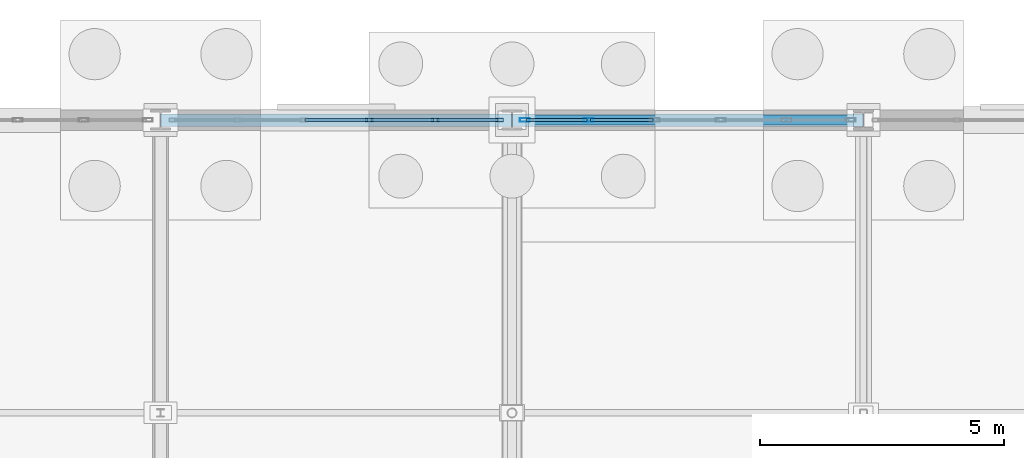
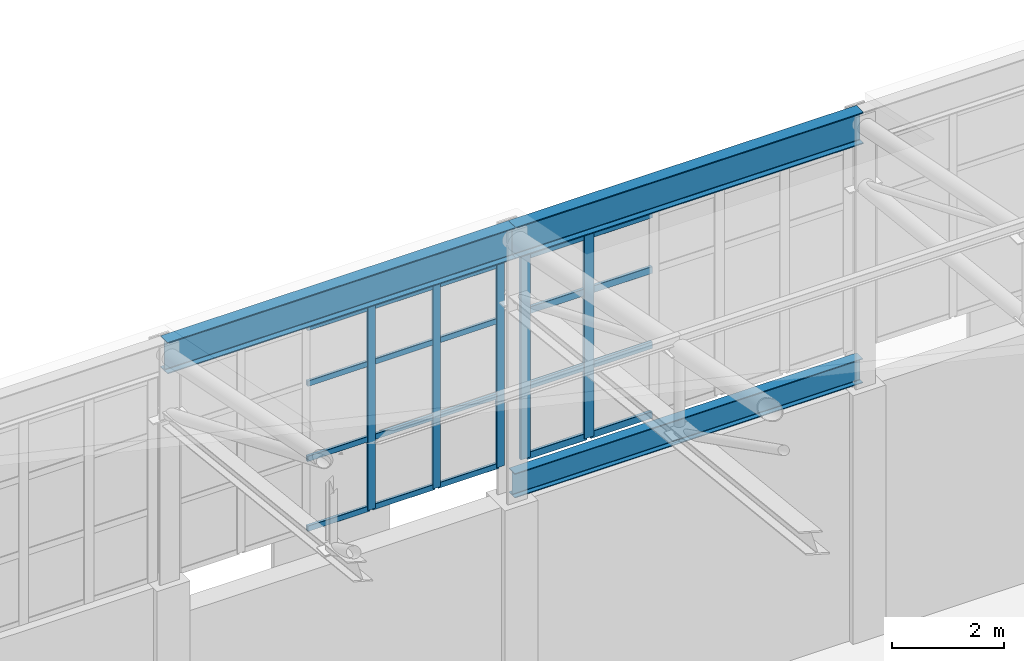
# One storey, part 221 of 293: 25 members, 3 beams, 2 elements without a shape of their own.
"""IFC4 building model written with IfcOpenShell, lengths in metres."""

from ifc_helpers import new_model, si_unit, direction, frame, origin, origin_2d, place, context, subcontext, project, spatial, hollow_rectangle, i_section, extrude, material, layer, layer_set, material_profile, profile_set, type_object, element, aggregate, save


model = new_model("IFC4")

# Units and contexts
model_context = context("Model", 3, precision=1e-05, world=origin(), true_north=direction((0.0, 1.0)))
body_context = subcontext(model_context, "Body", "Model", "MODEL_VIEW")
ifc_project = project(units=[si_unit("LENGTHUNIT", "METRE"), si_unit("AREAUNIT", "SQUARE_METRE"), si_unit("VOLUMEUNIT", "CUBIC_METRE"), si_unit("PLANEANGLEUNIT", "RADIAN"), si_unit("MASSUNIT", "GRAM", prefix="KILO")], contexts=[model_context])

# Site, building, storey
site_placement = place(None, origin())
site = spatial("IfcSite", under=ifc_project, at=site_placement, CompositionType="ELEMENT")
building_placement = place(site_placement, origin())
building = spatial("IfcBuilding", under=site, at=building_placement, Name="Kemerveld Promenade Tramway Depot", CompositionType="ELEMENT")
storey_placement = place(building_placement, origin())
storey = spatial("IfcBuildingStorey", under=building, at=storey_placement, Name="L00", CompositionType="ELEMENT", Elevation=0.0)

# Beams
ifc_material_1 = material(Name="Steel S355", Category="steel")
ifc_material_profile_1 = material_profile(ifc_material_1, i_section(OverallWidth=0.25439453125, OverallDepth=0.6875, WebThickness=0.01318359375, FlangeThickness=0.02099609375, FilletRadius=0.01513671875, at=origin_2d()), Name="686x254x152 UB")
ifc_profile_set_1 = profile_set([ifc_material_profile_1], Name="Steel S355")
beam_type_1 = type_object("IfcBeamType", Name="BM-G03", PredefinedType="BEAM", material=ifc_profile_set_1)
for number, where, z_axis, x_axis, name in (
    (1, (136.800048828125, 144.0, 11.056396484375), (1.0, 0.0, 0.0), (0.0, 1.0, 0.0), "BM-SHED-EAVE-U-20"),
    (2, (144.0, 144.0, 11.056396484375), (1.0, 0.0, 0.0), (0.0, 1.0, 0.0), "BM-SHED-EAVE-U-21"),
):
    element("IfcBeam", number, at=place(storey_placement, frame(where, z_axis=z_axis, x_axis=x_axis)), inside=storey, type_object=beam_type_1, Name=name, PredefinedType="BEAM", context=body_context, shape_type="SweptSolid", body=[
        extrude(i_section(OverallWidth=0.25439453125, OverallDepth=0.6875, WebThickness=0.01318359375, FlangeThickness=0.02099609375, FilletRadius=0.01513671875, at=origin_2d()), origin(), (0.0, 0.0, 1.0), 7.199951171875),
    ])
ifc_material_profile_2 = material_profile(ifc_material_1, i_section(OverallWidth=0.2099609375, OverallDepth=0.53662109375, WebThickness=0.0107421875, FlangeThickness=0.017333984375, FilletRadius=0.0126953125, at=origin_2d()), Name="533x210x101 UB")
ifc_profile_set_2 = profile_set([ifc_material_profile_2], Name="Steel S355")
beam_type_2 = type_object("IfcBeamType", Name="BM-G05", PredefinedType="BEAM", material=ifc_profile_set_2)
beam_placement = place(storey_placement, frame((144.0, 144.0, 5.731689453125), z_axis=(1.0, 0.0, 0.0), x_axis=(0.0, 1.0, 0.0)))
element("IfcBeam", 3, at=beam_placement, inside=storey, type_object=beam_type_2, Name="BM-SHED-MID-U-21", PredefinedType="BEAM", context=body_context, shape_type="SweptSolid", body=[
    extrude(i_section(OverallWidth=0.2099609375, OverallDepth=0.53662109375, WebThickness=0.0107421875, FlangeThickness=0.017333984375, FilletRadius=0.0126953125, at=origin_2d()), origin(), (0.0, 0.0, 1.0), 7.199951171875),
])

# Curtain wall, members
ifc_material_2 = material(Name="Bronze anodised aluminium and solar glass", Category="aluminium")
ifc_layer_1 = layer(ifc_material_2, 0.159912109375)
ifc_layer_set_1 = layer_set([ifc_layer_1], Name="CW-SYS-01")
curtain_wall_type_1 = type_object("IfcCurtainWallType", Name="CW-SYS-01", PredefinedType="USERDEFINED", material=ifc_layer_set_1)
curtain_wall_1_placement = place(storey_placement, origin())
curtain_wall_1 = element("IfcCurtainWall", 4, at=curtain_wall_1_placement, inside=storey, type_object=curtain_wall_type_1, Name="CW-V1-N-15", ObjectType="GLAZED_CURTAIN_WALL", PredefinedType="USERDEFINED")
ifc_material_3 = material(Name="Bronze anodised aluminium", Category="aluminium")
ifc_material_profile_3 = material_profile(ifc_material_3, hollow_rectangle(XDim=0.06494140625, YDim=0.159912109375, WallThickness=0.00390625, InnerFilletRadius=0.001953125, OuterFilletRadius=0.00390625, at=origin_2d()), Name="CW-MUL-160x65")
ifc_profile_set_3 = profile_set([ifc_material_profile_3], Name="Bronze anodised aluminium")
member_type_1 = type_object("IfcMemberType", Name="CW-MUL-A", PredefinedType="MULLION", material=ifc_profile_set_3)
member_1_placement = place(storey_placement, frame((141.075439453125, 144.0, 6.199951171875), z_axis=(0.0, 0.0, 1.0), x_axis=(0.0, 1.0, 0.0)))
member_1 = element("IfcMember", 5, at=member_1_placement, type_object=member_type_1, Name="CW01 mullion 4", PredefinedType="MULLION", context=body_context, shape_type="SweptSolid", body=[
    extrude(hollow_rectangle(XDim=0.06494140625, YDim=0.159912109375, WallThickness=0.00390625, InnerFilletRadius=0.001953125, OuterFilletRadius=0.00390625, at=origin_2d()), origin(), (0.0, 0.0, 1.0), 4.449951171875),
])
member_2_placement = place(storey_placement, frame((142.426025390625, 144.0, 6.199951171875), z_axis=(0.0, 0.0, 1.0), x_axis=(0.0, 1.0, 0.0)))
member_2 = element("IfcMember", 6, at=member_2_placement, type_object=member_type_1, Name="CW01 mullion 5", PredefinedType="MULLION", context=body_context, shape_type="SweptSolid", body=[
    extrude(hollow_rectangle(XDim=0.06494140625, YDim=0.159912109375, WallThickness=0.00390625, InnerFilletRadius=0.001953125, OuterFilletRadius=0.00390625, at=origin_2d()), origin(), (0.0, 0.0, 1.0), 4.449951171875),
])
member_3_placement = place(storey_placement, frame((143.744384765625, 144.0, 6.199951171875), z_axis=(0.0, 0.0, 1.0), x_axis=(0.0, 1.0, 0.0)))
member_3 = element("IfcMember", 7, at=member_3_placement, type_object=member_type_1, Name="CW01 mullion 6", PredefinedType="MULLION", context=body_context, shape_type="SweptSolid", body=[
    extrude(hollow_rectangle(XDim=0.06494140625, YDim=0.159912109375, WallThickness=0.00390625, InnerFilletRadius=0.001953125, OuterFilletRadius=0.00390625, at=origin_2d()), origin(), (0.0, 0.0, 1.0), 4.449951171875),
])

ifc_layer_2 = layer(ifc_material_2, 0.199951171875)
ifc_layer_set_2 = layer_set([ifc_layer_2], Name="CW-SYS-02")
curtain_wall_type_2 = type_object("IfcCurtainWallType", Name="CW-SYS-02", PredefinedType="USERDEFINED", material=ifc_layer_set_2)
curtain_wall_2_placement = place(storey_placement, origin())
curtain_wall_2 = element("IfcCurtainWall", 8, at=curtain_wall_2_placement, inside=storey, type_object=curtain_wall_type_2, Name="CW-V1-N-16", ObjectType="GLAZED_CURTAIN_WALL", PredefinedType="USERDEFINED")
ifc_material_profile_4 = material_profile(ifc_material_3, hollow_rectangle(XDim=0.074951171875, YDim=0.199951171875, WallThickness=0.0048828125, InnerFilletRadius=0.001953125, OuterFilletRadius=0.0048828125, at=origin_2d()), Name="CW-MUL-200x75")
ifc_profile_set_4 = profile_set([ifc_material_profile_4], Name="Bronze anodised aluminium")
member_type_2 = type_object("IfcMemberType", Name="CW-MUL-B", PredefinedType="MULLION", material=ifc_profile_set_4)
member_4_placement = place(storey_placement, frame((144.2607421875, 144.0, 6.199951171875), z_axis=(0.0, 0.0, 1.0), x_axis=(0.0, 1.0, 0.0)))
member_4 = element("IfcMember", 9, at=member_4_placement, type_object=member_type_2, Name="CW02 mullion 1", PredefinedType="MULLION", context=body_context, shape_type="SweptSolid", body=[
    extrude(hollow_rectangle(XDim=0.074951171875, YDim=0.199951171875, WallThickness=0.0048828125, InnerFilletRadius=0.001953125, OuterFilletRadius=0.0048828125, at=origin_2d()), origin(), (0.0, 0.0, 1.0), 4.449951171875),
])
member_5_placement = place(storey_placement, frame((145.573974609375, 144.0, 6.199951171875), z_axis=(0.0, 0.0, 1.0), x_axis=(0.0, 1.0, 0.0)))
member_5 = element("IfcMember", 10, at=member_5_placement, type_object=member_type_2, Name="CW02 mullion 2", PredefinedType="MULLION", context=body_context, shape_type="SweptSolid", body=[
    extrude(hollow_rectangle(XDim=0.074951171875, YDim=0.199951171875, WallThickness=0.0048828125, InnerFilletRadius=0.001953125, OuterFilletRadius=0.0048828125, at=origin_2d()), origin(), (0.0, 0.0, 1.0), 4.449951171875),
])

# Member
ifc_material_profile_5 = material_profile(ifc_material_3, hollow_rectangle(XDim=0.06005859375, YDim=0.1201171875, WallThickness=0.00390625, InnerFilletRadius=0.001953125, OuterFilletRadius=0.00390625, at=origin_2d()), Name="CW-TRN-120x60")
ifc_profile_set_5 = profile_set([ifc_material_profile_5], Name="Bronze anodised aluminium")
member_type_3 = type_object("IfcMemberType", Name="CW-TRN-A", PredefinedType="USERDEFINED", material=ifc_profile_set_5)
member_6_placement = place(storey_placement, frame((139.757080078125, 144.0, 6.22998046875), z_axis=(1.0, 0.0, 0.0), x_axis=(0.0, 1.0, 0.0)))
member_6 = element("IfcMember", 11, at=member_6_placement, type_object=member_type_3, Name="CW01 transom 3.1", ObjectType="TRANSOM", PredefinedType="USERDEFINED", context=body_context, shape_type="SweptSolid", body=[
    extrude(hollow_rectangle(XDim=0.06005859375, YDim=0.1201171875, WallThickness=0.00390625, InnerFilletRadius=0.001953125, OuterFilletRadius=0.00390625, at=origin_2d()), origin(), (0.0, 0.0, 1.0), 1.285888671875),
])

member_7_placement = place(storey_placement, frame((139.757080078125, 144.0, 7.758056640625), z_axis=(1.0, 0.0, 0.0), x_axis=(0.0, 1.0, 0.0)))
member_7 = element("IfcMember", 12, at=member_7_placement, type_object=member_type_3, Name="CW01 transom 3.2", ObjectType="TRANSOM", PredefinedType="USERDEFINED", context=body_context, shape_type="SweptSolid", body=[
    extrude(hollow_rectangle(XDim=0.06005859375, YDim=0.1201171875, WallThickness=0.00390625, InnerFilletRadius=0.001953125, OuterFilletRadius=0.00390625, at=origin_2d()), origin(), (0.0, 0.0, 1.0), 1.285888671875),
])

member_8_placement = place(storey_placement, frame((139.757080078125, 144.0, 9.404052734375), z_axis=(1.0, 0.0, 0.0), x_axis=(0.0, 1.0, 0.0)))
member_8 = element("IfcMember", 13, at=member_8_placement, type_object=member_type_3, Name="CW01 transom 3.3", ObjectType="TRANSOM", PredefinedType="USERDEFINED", context=body_context, shape_type="SweptSolid", body=[
    extrude(hollow_rectangle(XDim=0.06005859375, YDim=0.1201171875, WallThickness=0.00390625, InnerFilletRadius=0.001953125, OuterFilletRadius=0.00390625, at=origin_2d()), origin(), (0.0, 0.0, 1.0), 1.285888671875),
])

member_9_placement = place(storey_placement, frame((139.757080078125, 144.0, 10.6201171875), z_axis=(1.0, 0.0, 0.0), x_axis=(0.0, 1.0, 0.0)))
member_9 = element("IfcMember", 14, at=member_9_placement, type_object=member_type_3, Name="CW01 transom 3.4", ObjectType="TRANSOM", PredefinedType="USERDEFINED", context=body_context, shape_type="SweptSolid", body=[
    extrude(hollow_rectangle(XDim=0.06005859375, YDim=0.1201171875, WallThickness=0.00390625, InnerFilletRadius=0.001953125, OuterFilletRadius=0.00390625, at=origin_2d()), origin(), (0.0, 0.0, 1.0), 1.285888671875),
])

member_10_placement = place(storey_placement, frame((141.10791015625, 144.0, 6.22998046875), z_axis=(1.0, 0.0, 0.0), x_axis=(0.0, 1.0, 0.0)))
member_10 = element("IfcMember", 15, at=member_10_placement, type_object=member_type_3, Name="CW01 transom 4.1", ObjectType="TRANSOM", PredefinedType="USERDEFINED", context=body_context, shape_type="SweptSolid", body=[
    extrude(hollow_rectangle(XDim=0.06005859375, YDim=0.1201171875, WallThickness=0.00390625, InnerFilletRadius=0.001953125, OuterFilletRadius=0.00390625, at=origin_2d()), origin(), (0.0, 0.0, 1.0), 1.28564453125),
])

member_11_placement = place(storey_placement, frame((141.10791015625, 144.0, 7.758056640625), z_axis=(1.0, 0.0, 0.0), x_axis=(0.0, 1.0, 0.0)))
member_11 = element("IfcMember", 16, at=member_11_placement, type_object=member_type_3, Name="CW01 transom 4.2", ObjectType="TRANSOM", PredefinedType="USERDEFINED", context=body_context, shape_type="SweptSolid", body=[
    extrude(hollow_rectangle(XDim=0.06005859375, YDim=0.1201171875, WallThickness=0.00390625, InnerFilletRadius=0.001953125, OuterFilletRadius=0.00390625, at=origin_2d()), origin(), (0.0, 0.0, 1.0), 1.28564453125),
])

member_12_placement = place(storey_placement, frame((141.10791015625, 144.0, 9.404052734375), z_axis=(1.0, 0.0, 0.0), x_axis=(0.0, 1.0, 0.0)))
member_12 = element("IfcMember", 17, at=member_12_placement, type_object=member_type_3, Name="CW01 transom 4.3", ObjectType="TRANSOM", PredefinedType="USERDEFINED", context=body_context, shape_type="SweptSolid", body=[
    extrude(hollow_rectangle(XDim=0.06005859375, YDim=0.1201171875, WallThickness=0.00390625, InnerFilletRadius=0.001953125, OuterFilletRadius=0.00390625, at=origin_2d()), origin(), (0.0, 0.0, 1.0), 1.28564453125),
])

member_13_placement = place(storey_placement, frame((141.10791015625, 144.0, 10.6201171875), z_axis=(1.0, 0.0, 0.0), x_axis=(0.0, 1.0, 0.0)))
member_13 = element("IfcMember", 18, at=member_13_placement, type_object=member_type_3, Name="CW01 transom 4.4", ObjectType="TRANSOM", PredefinedType="USERDEFINED", context=body_context, shape_type="SweptSolid", body=[
    extrude(hollow_rectangle(XDim=0.06005859375, YDim=0.1201171875, WallThickness=0.00390625, InnerFilletRadius=0.001953125, OuterFilletRadius=0.00390625, at=origin_2d()), origin(), (0.0, 0.0, 1.0), 1.28564453125),
])

member_14_placement = place(storey_placement, frame((142.45849609375, 144.0, 6.22998046875), z_axis=(1.0, 0.0, 0.0), x_axis=(0.0, 1.0, 0.0)))
member_14 = element("IfcMember", 19, at=member_14_placement, type_object=member_type_3, Name="CW01 transom 5.1", ObjectType="TRANSOM", PredefinedType="USERDEFINED", context=body_context, shape_type="SweptSolid", body=[
    extrude(hollow_rectangle(XDim=0.06005859375, YDim=0.1201171875, WallThickness=0.00390625, InnerFilletRadius=0.001953125, OuterFilletRadius=0.00390625, at=origin_2d()), origin(), (0.0, 0.0, 1.0), 1.25341796875),
])

member_15_placement = place(storey_placement, frame((142.45849609375, 144.0, 7.758056640625), z_axis=(1.0, 0.0, 0.0), x_axis=(0.0, 1.0, 0.0)))
member_15 = element("IfcMember", 20, at=member_15_placement, type_object=member_type_3, Name="CW01 transom 5.2", ObjectType="TRANSOM", PredefinedType="USERDEFINED", context=body_context, shape_type="SweptSolid", body=[
    extrude(hollow_rectangle(XDim=0.06005859375, YDim=0.1201171875, WallThickness=0.00390625, InnerFilletRadius=0.001953125, OuterFilletRadius=0.00390625, at=origin_2d()), origin(), (0.0, 0.0, 1.0), 1.25341796875),
])

member_16_placement = place(storey_placement, frame((142.45849609375, 144.0, 9.404052734375), z_axis=(1.0, 0.0, 0.0), x_axis=(0.0, 1.0, 0.0)))
member_16 = element("IfcMember", 21, at=member_16_placement, type_object=member_type_3, Name="CW01 transom 5.3", ObjectType="TRANSOM", PredefinedType="USERDEFINED", context=body_context, shape_type="SweptSolid", body=[
    extrude(hollow_rectangle(XDim=0.06005859375, YDim=0.1201171875, WallThickness=0.00390625, InnerFilletRadius=0.001953125, OuterFilletRadius=0.00390625, at=origin_2d()), origin(), (0.0, 0.0, 1.0), 1.25341796875),
])

member_17_placement = place(storey_placement, frame((142.45849609375, 144.0, 10.6201171875), z_axis=(1.0, 0.0, 0.0), x_axis=(0.0, 1.0, 0.0)))
member_17 = element("IfcMember", 22, at=member_17_placement, type_object=member_type_3, Name="CW01 transom 5.4", ObjectType="TRANSOM", PredefinedType="USERDEFINED", context=body_context, shape_type="SweptSolid", body=[
    extrude(hollow_rectangle(XDim=0.06005859375, YDim=0.1201171875, WallThickness=0.00390625, InnerFilletRadius=0.001953125, OuterFilletRadius=0.00390625, at=origin_2d()), origin(), (0.0, 0.0, 1.0), 1.25341796875),
])

aggregate(curtain_wall_1, [member_1, member_2, member_3, member_6, member_7, member_8, member_9, member_10, member_11, member_12, member_13, member_14, member_15, member_16, member_17])

ifc_material_profile_6 = material_profile(ifc_material_3, hollow_rectangle(XDim=0.06494140625, YDim=0.14990234375, WallThickness=0.00439453125, InnerFilletRadius=0.001953125, OuterFilletRadius=0.00439453125, at=origin_2d()), Name="CW-TRN-150x65")
ifc_profile_set_6 = profile_set([ifc_material_profile_6], Name="Bronze anodised aluminium")
member_type_4 = type_object("IfcMemberType", Name="CW-TRN-B", PredefinedType="USERDEFINED", material=ifc_profile_set_6)
member_18_placement = place(storey_placement, frame((144.298095703125, 144.0, 6.232421875), z_axis=(1.0, 0.0, 0.0), x_axis=(0.0, 1.0, 0.0)))
member_18 = element("IfcMember", 23, at=member_18_placement, type_object=member_type_4, Name="CW02 transom 1.1", ObjectType="TRANSOM", PredefinedType="USERDEFINED", context=body_context, shape_type="SweptSolid", body=[
    extrude(hollow_rectangle(XDim=0.06494140625, YDim=0.14990234375, WallThickness=0.00439453125, InnerFilletRadius=0.001953125, OuterFilletRadius=0.00439453125, at=origin_2d()), origin(), (0.0, 0.0, 1.0), 1.23828125),
])

member_19_placement = place(storey_placement, frame((144.298095703125, 144.0, 7.758056640625), z_axis=(1.0, 0.0, 0.0), x_axis=(0.0, 1.0, 0.0)))
member_19 = element("IfcMember", 24, at=member_19_placement, type_object=member_type_4, Name="CW02 transom 1.2", ObjectType="TRANSOM", PredefinedType="USERDEFINED", context=body_context, shape_type="SweptSolid", body=[
    extrude(hollow_rectangle(XDim=0.06494140625, YDim=0.14990234375, WallThickness=0.00439453125, InnerFilletRadius=0.001953125, OuterFilletRadius=0.00439453125, at=origin_2d()), origin(), (0.0, 0.0, 1.0), 1.23828125),
])

member_20_placement = place(storey_placement, frame((144.298095703125, 144.0, 9.404052734375), z_axis=(1.0, 0.0, 0.0), x_axis=(0.0, 1.0, 0.0)))
member_20 = element("IfcMember", 25, at=member_20_placement, type_object=member_type_4, Name="CW02 transom 1.3", ObjectType="TRANSOM", PredefinedType="USERDEFINED", context=body_context, shape_type="SweptSolid", body=[
    extrude(hollow_rectangle(XDim=0.06494140625, YDim=0.14990234375, WallThickness=0.00439453125, InnerFilletRadius=0.001953125, OuterFilletRadius=0.00439453125, at=origin_2d()), origin(), (0.0, 0.0, 1.0), 1.23828125),
])

member_21_placement = place(storey_placement, frame((144.298095703125, 144.0, 10.617431640625), z_axis=(1.0, 0.0, 0.0), x_axis=(0.0, 1.0, 0.0)))
member_21 = element("IfcMember", 26, at=member_21_placement, type_object=member_type_4, Name="CW02 transom 1.4", ObjectType="TRANSOM", PredefinedType="USERDEFINED", context=body_context, shape_type="SweptSolid", body=[
    extrude(hollow_rectangle(XDim=0.06494140625, YDim=0.14990234375, WallThickness=0.00439453125, InnerFilletRadius=0.001953125, OuterFilletRadius=0.00439453125, at=origin_2d()), origin(), (0.0, 0.0, 1.0), 1.23828125),
])

member_22_placement = place(storey_placement, frame((145.611328125, 144.0, 6.232421875), z_axis=(1.0, 0.0, 0.0), x_axis=(0.0, 1.0, 0.0)))
member_22 = element("IfcMember", 27, at=member_22_placement, type_object=member_type_4, Name="CW02 transom 2.1", ObjectType="TRANSOM", PredefinedType="USERDEFINED", context=body_context, shape_type="SweptSolid", body=[
    extrude(hollow_rectangle(XDim=0.06494140625, YDim=0.14990234375, WallThickness=0.00439453125, InnerFilletRadius=0.001953125, OuterFilletRadius=0.00439453125, at=origin_2d()), origin(), (0.0, 0.0, 1.0), 1.27587890625),
])

member_23_placement = place(storey_placement, frame((145.611328125, 144.0, 7.758056640625), z_axis=(1.0, 0.0, 0.0), x_axis=(0.0, 1.0, 0.0)))
member_23 = element("IfcMember", 28, at=member_23_placement, type_object=member_type_4, Name="CW02 transom 2.2", ObjectType="TRANSOM", PredefinedType="USERDEFINED", context=body_context, shape_type="SweptSolid", body=[
    extrude(hollow_rectangle(XDim=0.06494140625, YDim=0.14990234375, WallThickness=0.00439453125, InnerFilletRadius=0.001953125, OuterFilletRadius=0.00439453125, at=origin_2d()), origin(), (0.0, 0.0, 1.0), 1.27587890625),
])

member_24_placement = place(storey_placement, frame((145.611328125, 144.0, 9.404052734375), z_axis=(1.0, 0.0, 0.0), x_axis=(0.0, 1.0, 0.0)))
member_24 = element("IfcMember", 29, at=member_24_placement, type_object=member_type_4, Name="CW02 transom 2.3", ObjectType="TRANSOM", PredefinedType="USERDEFINED", context=body_context, shape_type="SweptSolid", body=[
    extrude(hollow_rectangle(XDim=0.06494140625, YDim=0.14990234375, WallThickness=0.00439453125, InnerFilletRadius=0.001953125, OuterFilletRadius=0.00439453125, at=origin_2d()), origin(), (0.0, 0.0, 1.0), 1.27587890625),
])

member_25_placement = place(storey_placement, frame((145.611328125, 144.0, 10.617431640625), z_axis=(1.0, 0.0, 0.0), x_axis=(0.0, 1.0, 0.0)))
member_25 = element("IfcMember", 30, at=member_25_placement, type_object=member_type_4, Name="CW02 transom 2.4", ObjectType="TRANSOM", PredefinedType="USERDEFINED", context=body_context, shape_type="SweptSolid", body=[
    extrude(hollow_rectangle(XDim=0.06494140625, YDim=0.14990234375, WallThickness=0.00439453125, InnerFilletRadius=0.001953125, OuterFilletRadius=0.00439453125, at=origin_2d()), origin(), (0.0, 0.0, 1.0), 1.27587890625),
])

aggregate(curtain_wall_2, [member_4, member_5, member_18, member_19, member_20, member_21, member_22, member_23, member_24, member_25])

save(model, "model.ifc")
